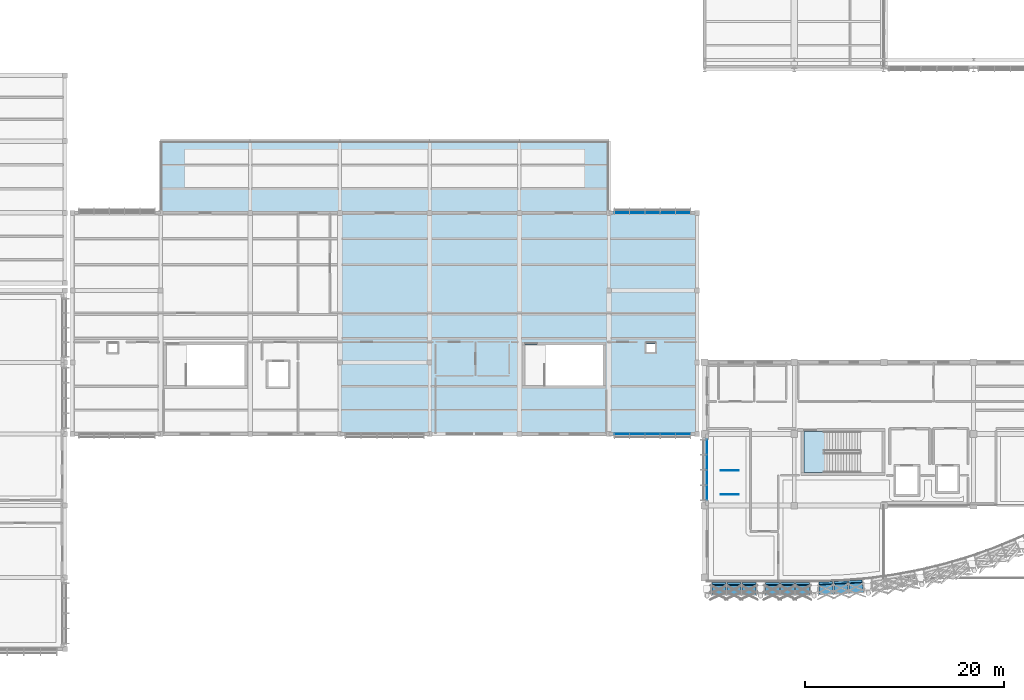
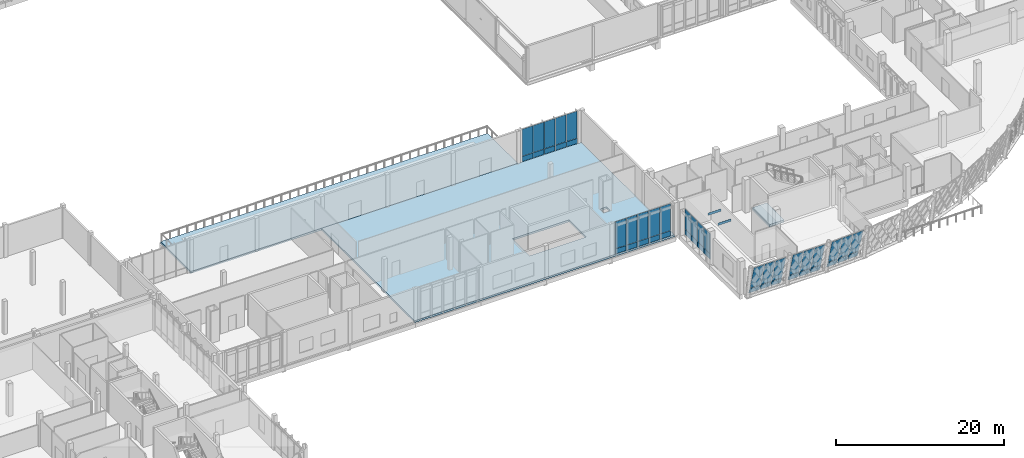
# One storey, part 135 of 177: 48 plates, 3 slabs, 6 elements without a shape of their own.
"""IFC4 building model written with IfcOpenShell, lengths in metres."""

from ifc_helpers import new_model, si_unit, direction, frame, origin, origin_2d, place, context, subcontext, project, spatial, polyline, rectangle, outline, extrude, material, layer, layer_set, type_object, element, aggregate, save


model = new_model("IFC4")

# Units and contexts
model_context = context("Model", 3, precision=1e-05, world=origin(), true_north=direction((0.0, 1.0)))
body_context = subcontext(model_context, "Body", "Model", "MODEL_VIEW")
ifc_project = project(units=[si_unit("LENGTHUNIT", "METRE"), si_unit("AREAUNIT", "SQUARE_METRE"), si_unit("VOLUMEUNIT", "CUBIC_METRE"), si_unit("PLANEANGLEUNIT", "RADIAN"), si_unit("MASSUNIT", "GRAM", prefix="KILO")], contexts=[model_context])

# Site, building, storey
site_placement = place(None, origin())
site = spatial("IfcSite", under=ifc_project, at=site_placement, CompositionType="ELEMENT")
building_placement = place(site_placement, origin())
building = spatial("IfcBuilding", under=site, at=building_placement, Name="Chiffa Square Polytechnic", CompositionType="ELEMENT")
storey_placement = place(building_placement, frame((0.0, 0.0, 4.800048828125)))
storey = spatial("IfcBuildingStorey", under=building, at=storey_placement, Name="L01", CompositionType="ELEMENT", Elevation=4.800048828125)

# Curtain wall, plates
ifc_material_1 = material(Name="Aluminium EN AW-6060 T66 and glulam shading", Category="wood")
curtain_wall_type_1 = type_object("IfcCurtainWallType", Name="CW-PROW-LEAN-150", PredefinedType="USERDEFINED", material=ifc_material_1)
curtain_wall_1_placement = place(storey_placement, origin())
curtain_wall_1 = element("IfcCurtainWall", 1, at=curtain_wall_1_placement, inside=storey, type_object=curtain_wall_type_1, Name="Outward-leaning diamond-fin prow curtain wall CW-V1-L01-012", ObjectType="CURTAIN WALL", PredefinedType="USERDEFINED")
ifc_material_2 = material(Name="Double glazing", Category="glass")
ifc_layer_1 = layer(ifc_material_2, 0.035888671875, Name="Double glazing")
ifc_layer_set_1 = layer_set([ifc_layer_1], Name="Double glazing")
plate_type_1 = type_object("IfcPlateType", Name="CWP-GLZ-120X145", PredefinedType="CURTAIN_PANEL", material=ifc_layer_set_1)
plate_1_placement = place(storey_placement, frame((123.6826171875, 6.4853515625, 0.8779296875), z_axis=(-0.050405458489, 0.960980066092, 0.271986401001), x_axis=(0.998627568263, 0.052373460327, 2.3637473e-05)))
plate_1 = element("IfcPlate", 2, at=plate_1_placement, type_object=plate_type_1, Name="Leaning prow curtain panel CW-V1-L01-012-PN01", PredefinedType="CURTAIN_PANEL", context=body_context, shape_type="SweptSolid", body=[
    extrude(outline(polyline([(0.0, 0.0), (1.3820176239372286, -3.469446951953614e-18), (1.3631176824569493, -3.6964487567364896), (-0.05142837269648539, -3.6965174500999045), (0.0, 0.0)])), origin(), (0.0, 0.0, -1.0), 0.035888671875),
])
plate_2_placement = place(storey_placement, frame((125.169921875, 6.563232421875, 0.8779296875), z_axis=(-0.050406814051, 0.96100590989, 0.271894822043), x_axis=(0.998627568027, 0.052373464819, 2.363015e-05)))
plate_2 = element("IfcPlate", 3, at=plate_2_placement, type_object=plate_type_1, Name="Leaning prow curtain panel CW-V1-L01-012-PN02", PredefinedType="CURTAIN_PANEL", context=body_context, shape_type="SweptSolid", body=[
    extrude(outline(polyline([(0.0, 0.0), (1.382017623936948, 0.0), (1.3980969251783544, -3.6963485016422117), (-0.016449129975929244, -3.696417171876284), (0.0, 0.0)])), origin(), (0.0, 0.0, -1.0), 0.035888671875),
])
plate_3_placement = place(storey_placement, frame((126.656982421875, 6.64111328125, 0.8779296875), z_axis=(-0.050403751901, 0.961031536243, 0.271804797862), x_axis=(0.99862782527, 0.052368559069, 2.4842729e-05)))
plate_3 = element("IfcPlate", 4, at=plate_3_placement, type_object=plate_type_1, Name="Leaning prow curtain panel CW-V1-L01-012-PN03", PredefinedType="CURTAIN_PANEL", context=body_context, shape_type="SweptSolid", body=[
    extrude(outline(polyline([(0.0, 0.0), (1.3822614300688714, 3.469446951953614e-18), (1.433329252679976, -3.6962481522145714), (0.018783198243864086, -3.6963203506431217), (0.0, 0.0)])), origin(), (0.0, 0.0, -1.0), 0.035888671875),
])

curtain_wall_type_2 = type_object("IfcCurtainWallType", Name="CW-VERT-450X380", PredefinedType="USERDEFINED", material=ifc_material_1)
curtain_wall_2_placement = place(storey_placement, origin())
curtain_wall_2 = element("IfcCurtainWall", 5, at=curtain_wall_2_placement, inside=storey, type_object=curtain_wall_type_2, Name="Curtain wall CW-V4-L01-186", ObjectType="CURTAIN WALL", PredefinedType="USERDEFINED")
ifc_layer_2 = layer(ifc_material_2, 0.0419921875, Name="Double glazing")
ifc_layer_set_2 = layer_set([ifc_layer_2], Name="Double glazing")
plate_type_2 = type_object("IfcPlateType", Name="CWP-GLZ-138X126", PredefinedType="CURTAIN_PANEL", material=ifc_layer_set_2)
plate_4_placement = place(storey_placement, frame((110.031982421875, 43.800048828125, 0.83984375), z_axis=(0.0, 0.0, 1.0), x_axis=(-1.0, 0.0, 0.0)))
plate_4 = element("IfcPlate", 6, at=plate_4_placement, type_object=plate_type_2, Name="Glazed curtain panel CW-V4-L01-186-PN01", PredefinedType="CURTAIN_PANEL", context=body_context, shape_type="SweptSolid", body=[
    extrude(rectangle(XDim=1.4599609375, YDim=0.0419921875, at=origin_2d()), origin(), (0.0, 0.0, 1.0), 3.909912109375),
])
plate_5_placement = place(storey_placement, frame((108.509033203125, 43.800048828125, 0.83984375), z_axis=(0.0, 0.0, 1.0), x_axis=(-1.0, 0.0, 0.0)))
plate_5 = element("IfcPlate", 7, at=plate_5_placement, type_object=plate_type_2, Name="Glazed curtain panel CW-V4-L01-186-PN02", PredefinedType="CURTAIN_PANEL", context=body_context, shape_type="SweptSolid", body=[
    extrude(rectangle(XDim=1.48193359375, YDim=0.0419921875, at=origin_2d()), origin(), (0.0, 0.0, 1.0), 3.909912109375),
])
plate_6_placement = place(storey_placement, frame((106.97509765625, 43.800048828125, 0.83984375), z_axis=(0.0, 0.0, 1.0), x_axis=(-1.0, 0.0, 0.0)))
plate_6 = element("IfcPlate", 8, at=plate_6_placement, type_object=plate_type_2, Name="Glazed curtain panel CW-V4-L01-186-PN03", PredefinedType="CURTAIN_PANEL", context=body_context, shape_type="SweptSolid", body=[
    extrude(rectangle(XDim=1.48193359375, YDim=0.0419921875, at=origin_2d()), origin(), (0.0, 0.0, 1.0), 3.909912109375),
])
plate_7_placement = place(storey_placement, frame((105.44091796875, 43.800048828125, 0.83984375), z_axis=(0.0, 0.0, 1.0), x_axis=(-1.0, 0.0, 0.0)))
plate_7 = element("IfcPlate", 9, at=plate_7_placement, type_object=plate_type_2, Name="Glazed curtain panel CW-V4-L01-186-PN04", PredefinedType="CURTAIN_PANEL", context=body_context, shape_type="SweptSolid", body=[
    extrude(rectangle(XDim=1.48193359375, YDim=0.0419921875, at=origin_2d()), origin(), (0.0, 0.0, 1.0), 3.909912109375),
])
plate_8_placement = place(storey_placement, frame((103.91796875, 43.800048828125, 0.83984375), z_axis=(0.0, 0.0, 1.0), x_axis=(-1.0, 0.0, 0.0)))
plate_8 = element("IfcPlate", 10, at=plate_8_placement, type_object=plate_type_2, Name="Glazed curtain panel CW-V4-L01-186-PN05", PredefinedType="CURTAIN_PANEL", context=body_context, shape_type="SweptSolid", body=[
    extrude(rectangle(XDim=1.4599609375, YDim=0.0419921875, at=origin_2d()), origin(), (0.0, 0.0, 1.0), 3.909912109375),
])

curtain_wall_type_3 = type_object("IfcCurtainWallType", Name="CW-VERT-600X440", PredefinedType="USERDEFINED", material=ifc_material_1)
curtain_wall_3_placement = place(storey_placement, origin())
curtain_wall_3 = element("IfcCurtainWall", 11, at=curtain_wall_3_placement, inside=storey, type_object=curtain_wall_type_3, Name="Curtain wall CW-V1-L01-129", ObjectType="CURTAIN WALL", PredefinedType="USERDEFINED")
ifc_layer_3 = layer(ifc_material_2, 0.0400390625, Name="Double glazing")
ifc_layer_set_3 = layer_set([ifc_layer_3], Name="Double glazing")
plate_type_3 = type_object("IfcPlateType", Name="CWP-GLZ-140X130", PredefinedType="CURTAIN_PANEL", material=ifc_layer_set_3)
plate_9_placement = place(storey_placement, frame((112.449951171875, 20.283935546875, 0.84033203125), z_axis=(0.0, 0.0, 1.0), x_axis=(0.0, -1.0, 0.0)))
plate_9 = element("IfcPlate", 12, at=plate_9_placement, type_object=plate_type_3, Name="Glazed curtain panel CW-V1-L01-129-PN01", PredefinedType="CURTAIN_PANEL", context=body_context, shape_type="SweptSolid", body=[
    extrude(rectangle(XDim=1.4560546875, YDim=0.0400390625, at=origin_2d()), origin(), (0.0, 0.0, 1.0), 2.925048828125),
])
plate_10_placement = place(storey_placement, frame((112.449951171875, 18.764892578125, 0.84033203125), z_axis=(0.0, 0.0, 1.0), x_axis=(0.0, -1.0, 0.0)))
plate_10 = element("IfcPlate", 13, at=plate_10_placement, type_object=plate_type_3, Name="Glazed curtain panel CW-V1-L01-129-PN02", PredefinedType="CURTAIN_PANEL", context=body_context, shape_type="SweptSolid", body=[
    extrude(rectangle(XDim=1.47802734375, YDim=0.0400390625, at=origin_2d()), origin(), (0.0, 0.0, 1.0), 2.925048828125),
])
plate_11_placement = place(storey_placement, frame((112.449951171875, 17.235107421875, 0.84033203125), z_axis=(0.0, 0.0, 1.0), x_axis=(0.0, -1.0, 0.0)))
plate_11 = element("IfcPlate", 14, at=plate_11_placement, type_object=plate_type_3, Name="Glazed curtain panel CW-V1-L01-129-PN03", PredefinedType="CURTAIN_PANEL", context=body_context, shape_type="SweptSolid", body=[
    extrude(rectangle(XDim=1.47802734375, YDim=0.0400390625, at=origin_2d()), origin(), (0.0, 0.0, 1.0), 2.925048828125),
])
plate_12_placement = place(storey_placement, frame((112.449951171875, 15.716064453125, 0.84033203125), z_axis=(0.0, 0.0, 1.0), x_axis=(0.0, -1.0, 0.0)))
plate_12 = element("IfcPlate", 15, at=plate_12_placement, type_object=plate_type_3, Name="Glazed curtain panel CW-V1-L01-129-PN04", PredefinedType="CURTAIN_PANEL", context=body_context, shape_type="SweptSolid", body=[
    extrude(rectangle(XDim=1.4560546875, YDim=0.0400390625, at=origin_2d()), origin(), (0.0, 0.0, 1.0), 2.925048828125),
])

curtain_wall_4_placement = place(storey_placement, origin())
curtain_wall_4 = element("IfcCurtainWall", 16, at=curtain_wall_4_placement, inside=storey, type_object=curtain_wall_type_3, Name="Curtain wall CW-V4-L01-185", ObjectType="CURTAIN WALL", PredefinedType="USERDEFINED")
plate_13_placement = place(storey_placement, frame((103.91796875, 21.60009765625, 0.83984375), z_axis=(0.0, 0.0, 1.0), x_axis=(1.0, 0.0, 0.0)))
plate_13 = element("IfcPlate", 17, at=plate_13_placement, type_object=plate_type_3, Name="Glazed curtain panel CW-V4-L01-185-PN01", PredefinedType="CURTAIN_PANEL", context=body_context, shape_type="SweptSolid", body=[
    extrude(rectangle(XDim=1.4599609375, YDim=0.0400390625, at=origin_2d()), origin(), (0.0, 0.0, 1.0), 3.909912109375),
])
plate_14_placement = place(storey_placement, frame((105.44091796875, 21.60009765625, 0.83984375), z_axis=(0.0, 0.0, 1.0), x_axis=(1.0, 0.0, 0.0)))
plate_14 = element("IfcPlate", 18, at=plate_14_placement, type_object=plate_type_3, Name="Glazed curtain panel CW-V4-L01-185-PN02", PredefinedType="CURTAIN_PANEL", context=body_context, shape_type="SweptSolid", body=[
    extrude(rectangle(XDim=1.48193359375, YDim=0.0400390625, at=origin_2d()), origin(), (0.0, 0.0, 1.0), 3.909912109375),
])
plate_15_placement = place(storey_placement, frame((106.97509765625, 21.60009765625, 0.83984375), z_axis=(0.0, 0.0, 1.0), x_axis=(1.0, 0.0, 0.0)))
plate_15 = element("IfcPlate", 19, at=plate_15_placement, type_object=plate_type_3, Name="Glazed curtain panel CW-V4-L01-185-PN03", PredefinedType="CURTAIN_PANEL", context=body_context, shape_type="SweptSolid", body=[
    extrude(rectangle(XDim=1.48193359375, YDim=0.0400390625, at=origin_2d()), origin(), (0.0, 0.0, 1.0), 3.909912109375),
])
plate_16_placement = place(storey_placement, frame((108.509033203125, 21.60009765625, 0.83984375), z_axis=(0.0, 0.0, 1.0), x_axis=(1.0, 0.0, 0.0)))
plate_16 = element("IfcPlate", 20, at=plate_16_placement, type_object=plate_type_3, Name="Glazed curtain panel CW-V4-L01-185-PN04", PredefinedType="CURTAIN_PANEL", context=body_context, shape_type="SweptSolid", body=[
    extrude(rectangle(XDim=1.48193359375, YDim=0.0400390625, at=origin_2d()), origin(), (0.0, 0.0, 1.0), 3.909912109375),
])
plate_17_placement = place(storey_placement, frame((110.031982421875, 21.60009765625, 0.83984375), z_axis=(0.0, 0.0, 1.0), x_axis=(1.0, 0.0, 0.0)))
plate_17 = element("IfcPlate", 21, at=plate_17_placement, type_object=plate_type_3, Name="Glazed curtain panel CW-V4-L01-185-PN05", PredefinedType="CURTAIN_PANEL", context=body_context, shape_type="SweptSolid", body=[
    extrude(rectangle(XDim=1.4599609375, YDim=0.0400390625, at=origin_2d()), origin(), (0.0, 0.0, 1.0), 3.909912109375),
])

curtain_wall_type_4 = type_object("IfcCurtainWallType", Name="CW-PROW-LEAN-300", PredefinedType="USERDEFINED", material=ifc_material_1)
curtain_wall_5_placement = place(storey_placement, origin())
curtain_wall_5 = element("IfcCurtainWall", 22, at=curtain_wall_5_placement, inside=storey, type_object=curtain_wall_type_4, Name="Outward-leaning diamond-fin prow curtain wall CW-V1-L01-011", ObjectType="CURTAIN WALL", PredefinedType="USERDEFINED")
ifc_layer_4 = layer(ifc_material_2, 0.035888671875, Name="Double glazing")
ifc_layer_set_4 = layer_set([ifc_layer_4], Name="Double glazing")
plate_type_4 = type_object("IfcPlateType", Name="CWP-GLZ-150X125", PredefinedType="CURTAIN_PANEL", material=ifc_layer_set_4)
plate_18_placement = place(storey_placement, frame((118.30908203125, 6.459716796875, 0.8779296875), z_axis=(0.0, 0.962250765528, 0.27216440664), x_axis=(1.0, 0.0, 0.0)))
plate_18 = element("IfcPlate", 23, at=plate_18_placement, type_object=plate_type_4, Name="Leaning prow curtain panel CW-V1-L01-011-PN01", PredefinedType="CURTAIN_PANEL", context=body_context, shape_type="SweptSolid", body=[
    extrude(outline(polyline([(0.0, 0.0), (1.396728515625, 0.0), (1.396728515625, -3.696675579467626), (0.0, -3.696675579467626), (0.0, 0.0)])), origin(), (0.0, 0.0, -1.0), 0.035888671875),
])
plate_19_placement = place(storey_placement, frame((119.814208984375, 6.459716796875, 0.8779296875), z_axis=(0.0, 0.962250765528, 0.27216440664), x_axis=(1.0, 0.0, 0.0)))
plate_19 = element("IfcPlate", 24, at=plate_19_placement, type_object=plate_type_4, Name="Leaning prow curtain panel CW-V1-L01-011-PN02", PredefinedType="CURTAIN_PANEL", context=body_context, shape_type="SweptSolid", body=[
    extrude(outline(polyline([(0.0, 0.0), (1.396484375, 0.0), (1.396484375, -3.696675579467626), (0.0, -3.696675579467626), (0.0, 0.0)])), origin(), (0.0, 0.0, -1.0), 0.035888671875),
])
plate_20_placement = place(storey_placement, frame((121.319091796875, 6.459716796875, 0.8779296875), z_axis=(0.0, 0.962250765528, 0.27216440664), x_axis=(1.0, 0.0, 0.0)))
plate_20 = element("IfcPlate", 25, at=plate_20_placement, type_object=plate_type_4, Name="Leaning prow curtain panel CW-V1-L01-011-PN03", PredefinedType="CURTAIN_PANEL", context=body_context, shape_type="SweptSolid", body=[
    extrude(outline(polyline([(0.0, 0.0), (1.396728515625, 0.0), (1.396728515625, -3.696675579467626), (0.0, -3.696675579467626), (0.0, 0.0)])), origin(), (0.0, 0.0, -1.0), 0.035888671875),
])

curtain_wall_6_placement = place(storey_placement, origin())
curtain_wall_6 = element("IfcCurtainWall", 26, at=curtain_wall_6_placement, inside=storey, type_object=curtain_wall_type_1, Name="Outward-leaning diamond-fin prow curtain wall CW-V1-L01-010", ObjectType="CURTAIN WALL", PredefinedType="USERDEFINED")
ifc_layer_5 = layer(ifc_material_2, 0.035888671875, Name="Double glazing")
ifc_layer_set_5 = layer_set([ifc_layer_5], Name="Double glazing")
plate_type_5 = type_object("IfcPlateType", Name="CWP-GLZ-150X145", PredefinedType="CURTAIN_PANEL", material=ifc_layer_set_5)
plate_21_placement = place(storey_placement, frame((112.93408203125, 6.459716796875, 0.8779296875), z_axis=(0.0, 0.962250765528, 0.27216440664), x_axis=(1.0, 0.0, 0.0)))
plate_21 = element("IfcPlate", 27, at=plate_21_placement, type_object=plate_type_5, Name="Leaning prow curtain panel CW-V1-L01-010-PN01", PredefinedType="CURTAIN_PANEL", context=body_context, shape_type="SweptSolid", body=[
    extrude(outline(polyline([(0.0, 0.0), (1.396728515625, 0.0), (1.396728515625, -3.696675579467626), (0.0, -3.696675579467626), (0.0, 0.0)])), origin(), (0.0, 0.0, -1.0), 0.035888671875),
])
plate_22_placement = place(storey_placement, frame((114.439208984375, 6.459716796875, 0.8779296875), z_axis=(0.0, 0.962250765528, 0.27216440664), x_axis=(1.0, 0.0, 0.0)))
plate_22 = element("IfcPlate", 28, at=plate_22_placement, type_object=plate_type_5, Name="Leaning prow curtain panel CW-V1-L01-010-PN02", PredefinedType="CURTAIN_PANEL", context=body_context, shape_type="SweptSolid", body=[
    extrude(outline(polyline([(0.0, 0.0), (1.396484375, 0.0), (1.396484375, -3.696675579467626), (0.0, -3.696675579467626), (0.0, 0.0)])), origin(), (0.0, 0.0, -1.0), 0.035888671875),
])
plate_23_placement = place(storey_placement, frame((115.944091796875, 6.459716796875, 0.8779296875), z_axis=(0.0, 0.962250765528, 0.27216440664), x_axis=(1.0, 0.0, 0.0)))
plate_23 = element("IfcPlate", 29, at=plate_23_placement, type_object=plate_type_5, Name="Leaning prow curtain panel CW-V1-L01-010-PN03", PredefinedType="CURTAIN_PANEL", context=body_context, shape_type="SweptSolid", body=[
    extrude(outline(polyline([(0.0, 0.0), (1.396728515625, 0.0), (1.396728515625, -3.696675579467626), (0.0, -3.696675579467626), (0.0, 0.0)])), origin(), (0.0, 0.0, -1.0), 0.035888671875),
])

# Plate
ifc_material_3 = material(Name="Aluminium insulated spandrel", Category="aluminium")
ifc_layer_6 = layer(ifc_material_3, 0.070068359375, Name="Aluminium insulated spandrel")
ifc_layer_set_6 = layer_set([ifc_layer_6], Name="Aluminium insulated spandrel")
plate_type_6 = type_object("IfcPlateType", Name="CWP-SPN-138X074", PredefinedType="SHEET", material=ifc_layer_set_6)
plate_24_placement = place(storey_placement, frame((123.68212890625, 6.719482421875, 0.050048828125), z_axis=(-0.050378601593, 0.961029364401, 0.271817139379), x_axis=(0.998628657987, 0.052352682161, -1.0851272e-05)))
plate_24 = element("IfcPlate", 30, at=plate_24_placement, type_object=plate_type_6, Name="Leaning prow curtain panel CW-V1-L01-012-SP01", PredefinedType="SHEET", context=body_context, shape_type="SweptSolid", body=[
    extrude(outline(polyline([(0.0, 0.0), (1.3746906701899575, 0.0), (1.3705826630724558, -0.8021908824059587), (-0.010947351625752414, -0.8021598037602016), (0.0, 0.0)])), origin(), (0.0, 0.0, -1.0), 0.070068359375),
])

plate_25_placement = place(storey_placement, frame((125.161376953125, 6.797119140625, 0.050048828125), z_axis=(-0.050201654931, 0.960990932669, 0.271985700304), x_axis=(0.99863812907, 0.052171707123, -1.1951845e-05)))
plate_25 = element("IfcPlate", 31, at=plate_25_placement, type_object=plate_type_6, Name="Leaning prow curtain panel CW-V1-L01-012-SP02", PredefinedType="SHEET", context=body_context, shape_type="SweptSolid", body=[
    extrude(outline(polyline([(0.0, 0.0), (1.3746779007950314, 3.469446951953614e-18), (1.3781793586529787, -0.8022322463634062), (-0.003581715347658533, -0.8021980112114097), (0.0, 0.0)])), origin(), (0.0, 0.0, -1.0), 0.070068359375),
])

plate_26_placement = place(storey_placement, frame((126.640625, 6.87451171875, 0.050048828125), z_axis=(-0.050295042544, 0.960976295924, 0.272020159856), x_axis=(0.998633368661, 0.052262748415, 1.1195406e-05)))
plate_26 = element("IfcPlate", 32, at=plate_26_placement, type_object=plate_type_6, Name="Leaning prow curtain panel CW-V1-L01-012-SP03", PredefinedType="SHEET", context=body_context, shape_type="SweptSolid", body=[
    extrude(outline(polyline([(0.0, 0.0), (1.3744340934191661, 3.469446951953614e-18), (1.3855170581899992, -0.8022071300666158), (0.003987043582358321, -0.8022391932566086), (0.0, 0.0)])), origin(), (0.0, 0.0, -1.0), 0.070068359375),
])

aggregate(curtain_wall_1, [plate_24, plate_1, plate_25, plate_2, plate_26, plate_3])

ifc_layer_7 = layer(ifc_material_3, 0.068115234375, Name="Aluminium insulated spandrel")
ifc_layer_set_7 = layer_set([ifc_layer_7], Name="Aluminium insulated spandrel")
plate_type_7 = type_object("IfcPlateType", Name="CWP-SPN-140X076", PredefinedType="SHEET", material=ifc_layer_set_7)
plate_27_placement = place(storey_placement, frame((118.30908203125, 6.69384765625, 0.050048828125), z_axis=(0.0, 0.962278231694, 0.272067279929), x_axis=(1.0, 0.0, 0.0)))
plate_27 = element("IfcPlate", 33, at=plate_27_placement, type_object=plate_type_7, Name="Leaning prow curtain panel CW-V1-L01-011-SP01", PredefinedType="SHEET", context=body_context, shape_type="SweptSolid", body=[
    extrude(outline(polyline([(0.0, 0.0), (1.396728515625, 0.0), (1.396728515625, -0.8022343547052724), (0.0, -0.8022343547052724), (0.0, 0.0)])), origin(), (0.0, 0.0, -1.0), 0.068115234375),
])

plate_28_placement = place(storey_placement, frame((119.814208984375, 6.69384765625, 0.050048828125), z_axis=(0.0, 0.962278231694, 0.272067279929), x_axis=(1.0, 0.0, 0.0)))
plate_28 = element("IfcPlate", 34, at=plate_28_placement, type_object=plate_type_7, Name="Leaning prow curtain panel CW-V1-L01-011-SP02", PredefinedType="SHEET", context=body_context, shape_type="SweptSolid", body=[
    extrude(outline(polyline([(0.0, 0.0), (1.396484375, 0.0), (1.396484375, -0.8022343547052725), (0.0, -0.8022343547052725), (0.0, 0.0)])), origin(), (0.0, 0.0, -1.0), 0.068115234375),
])

plate_29_placement = place(storey_placement, frame((121.319091796875, 6.69384765625, 0.050048828125), z_axis=(0.0, 0.962278231694, 0.272067279929), x_axis=(1.0, 0.0, 0.0)))
plate_29 = element("IfcPlate", 35, at=plate_29_placement, type_object=plate_type_7, Name="Leaning prow curtain panel CW-V1-L01-011-SP03", PredefinedType="SHEET", context=body_context, shape_type="SweptSolid", body=[
    extrude(outline(polyline([(0.0, 0.0), (1.396728515625, 0.0), (1.396728515625, -0.8022343547052724), (0.0, -0.8022343547052724), (0.0, 0.0)])), origin(), (0.0, 0.0, -1.0), 0.068115234375),
])

aggregate(curtain_wall_5, [plate_27, plate_18, plate_28, plate_19, plate_29, plate_20])

ifc_layer_8 = layer(ifc_material_3, 0.06591796875, Name="Aluminium insulated spandrel")
ifc_layer_set_8 = layer_set([ifc_layer_8], Name="Aluminium insulated spandrel")
plate_type_8 = type_object("IfcPlateType", Name="CWP-SPN-144X078", PredefinedType="SHEET", material=ifc_layer_set_8)
plate_30_placement = place(storey_placement, frame((112.93408203125, 6.69384765625, 0.050048828125), z_axis=(0.0, 0.962278231694, 0.272067279929), x_axis=(1.0, 0.0, 0.0)))
plate_30 = element("IfcPlate", 36, at=plate_30_placement, type_object=plate_type_8, Name="Leaning prow curtain panel CW-V1-L01-010-SP01", PredefinedType="SHEET", context=body_context, shape_type="SweptSolid", body=[
    extrude(outline(polyline([(0.0, 0.0), (1.396728515625, 0.0), (1.396728515625, -0.8022343547052724), (0.0, -0.8022343547052724), (0.0, 0.0)])), origin(), (0.0, 0.0, -1.0), 0.06591796875),
])

plate_31_placement = place(storey_placement, frame((114.439208984375, 6.69384765625, 0.050048828125), z_axis=(0.0, 0.962278231694, 0.272067279929), x_axis=(1.0, 0.0, 0.0)))
plate_31 = element("IfcPlate", 37, at=plate_31_placement, type_object=plate_type_8, Name="Leaning prow curtain panel CW-V1-L01-010-SP02", PredefinedType="SHEET", context=body_context, shape_type="SweptSolid", body=[
    extrude(outline(polyline([(0.0, 0.0), (1.396484375, 0.0), (1.396484375, -0.8022343547052725), (0.0, -0.8022343547052725), (0.0, 0.0)])), origin(), (0.0, 0.0, -1.0), 0.06591796875),
])

plate_32_placement = place(storey_placement, frame((115.944091796875, 6.69384765625, 0.050048828125), z_axis=(0.0, 0.962278231694, 0.272067279929), x_axis=(1.0, 0.0, 0.0)))
plate_32 = element("IfcPlate", 38, at=plate_32_placement, type_object=plate_type_8, Name="Leaning prow curtain panel CW-V1-L01-010-SP03", PredefinedType="SHEET", context=body_context, shape_type="SweptSolid", body=[
    extrude(outline(polyline([(0.0, 0.0), (1.396728515625, 0.0), (1.396728515625, -0.8022343547052724), (0.0, -0.8022343547052724), (0.0, 0.0)])), origin(), (0.0, 0.0, -1.0), 0.06591796875),
])

aggregate(curtain_wall_6, [plate_30, plate_21, plate_31, plate_22, plate_32, plate_23])

plate_33_placement = place(storey_placement, frame((110.031982421875, 43.800048828125, 0.050048828125), z_axis=(0.0, 0.0, 1.0), x_axis=(-1.0, 0.0, 0.0)))
plate_33 = element("IfcPlate", 39, at=plate_33_placement, type_object=plate_type_8, Name="Spandrel panel CW-V4-L01-186-SP01", PredefinedType="SHEET", context=body_context, shape_type="SweptSolid", body=[
    extrude(rectangle(XDim=1.4599609375, YDim=0.06591796875, at=origin_2d()), origin(), (0.0, 0.0, 1.0), 0.75),
])

plate_34_placement = place(storey_placement, frame((108.509033203125, 43.800048828125, 0.050048828125), z_axis=(0.0, 0.0, 1.0), x_axis=(-1.0, 0.0, 0.0)))
plate_34 = element("IfcPlate", 40, at=plate_34_placement, type_object=plate_type_8, Name="Spandrel panel CW-V4-L01-186-SP02", PredefinedType="SHEET", context=body_context, shape_type="SweptSolid", body=[
    extrude(rectangle(XDim=1.48193359375, YDim=0.06591796875, at=origin_2d()), origin(), (0.0, 0.0, 1.0), 0.75),
])

plate_35_placement = place(storey_placement, frame((106.97509765625, 43.800048828125, 0.050048828125), z_axis=(0.0, 0.0, 1.0), x_axis=(-1.0, 0.0, 0.0)))
plate_35 = element("IfcPlate", 41, at=plate_35_placement, type_object=plate_type_8, Name="Spandrel panel CW-V4-L01-186-SP03", PredefinedType="SHEET", context=body_context, shape_type="SweptSolid", body=[
    extrude(rectangle(XDim=1.48193359375, YDim=0.06591796875, at=origin_2d()), origin(), (0.0, 0.0, 1.0), 0.75),
])

plate_36_placement = place(storey_placement, frame((105.44091796875, 43.800048828125, 0.050048828125), z_axis=(0.0, 0.0, 1.0), x_axis=(-1.0, 0.0, 0.0)))
plate_36 = element("IfcPlate", 42, at=plate_36_placement, type_object=plate_type_8, Name="Spandrel panel CW-V4-L01-186-SP04", PredefinedType="SHEET", context=body_context, shape_type="SweptSolid", body=[
    extrude(rectangle(XDim=1.48193359375, YDim=0.06591796875, at=origin_2d()), origin(), (0.0, 0.0, 1.0), 0.75),
])

plate_37_placement = place(storey_placement, frame((103.91796875, 43.800048828125, 0.050048828125), z_axis=(0.0, 0.0, 1.0), x_axis=(-1.0, 0.0, 0.0)))
plate_37 = element("IfcPlate", 43, at=plate_37_placement, type_object=plate_type_8, Name="Spandrel panel CW-V4-L01-186-SP05", PredefinedType="SHEET", context=body_context, shape_type="SweptSolid", body=[
    extrude(rectangle(XDim=1.4599609375, YDim=0.06591796875, at=origin_2d()), origin(), (0.0, 0.0, 1.0), 0.75),
])

aggregate(curtain_wall_2, [plate_33, plate_4, plate_34, plate_5, plate_35, plate_6, plate_36, plate_7, plate_37, plate_8])

ifc_layer_9 = layer(ifc_material_3, 0.06396484375, Name="Aluminium insulated spandrel")
ifc_layer_set_9 = layer_set([ifc_layer_9], Name="Aluminium insulated spandrel")
plate_type_9 = type_object("IfcPlateType", Name="CWP-SPN-146X082", PredefinedType="SHEET", material=ifc_layer_set_9)
plate_38_placement = place(storey_placement, frame((112.449951171875, 20.283935546875, 0.050048828125), z_axis=(0.0, 0.0, 1.0), x_axis=(0.0, -1.0, 0.0)))
plate_38 = element("IfcPlate", 44, at=plate_38_placement, type_object=plate_type_9, Name="Spandrel panel CW-V1-L01-129-SP01", PredefinedType="SHEET", context=body_context, shape_type="SweptSolid", body=[
    extrude(rectangle(XDim=1.4560546875, YDim=0.06396484375, at=origin_2d()), origin(), (0.0, 0.0, 1.0), 0.75),
])

plate_39_placement = place(storey_placement, frame((112.449951171875, 18.764892578125, 0.050048828125), z_axis=(0.0, 0.0, 1.0), x_axis=(0.0, -1.0, 0.0)))
plate_39 = element("IfcPlate", 45, at=plate_39_placement, type_object=plate_type_9, Name="Spandrel panel CW-V1-L01-129-SP02", PredefinedType="SHEET", context=body_context, shape_type="SweptSolid", body=[
    extrude(rectangle(XDim=1.47802734375, YDim=0.06396484375, at=origin_2d()), origin(), (0.0, 0.0, 1.0), 0.75),
])

plate_40_placement = place(storey_placement, frame((112.449951171875, 17.235107421875, 0.050048828125), z_axis=(0.0, 0.0, 1.0), x_axis=(0.0, -1.0, 0.0)))
plate_40 = element("IfcPlate", 46, at=plate_40_placement, type_object=plate_type_9, Name="Spandrel panel CW-V1-L01-129-SP03", PredefinedType="SHEET", context=body_context, shape_type="SweptSolid", body=[
    extrude(rectangle(XDim=1.47802734375, YDim=0.06396484375, at=origin_2d()), origin(), (0.0, 0.0, 1.0), 0.75),
])

plate_41_placement = place(storey_placement, frame((112.449951171875, 15.716064453125, 0.050048828125), z_axis=(0.0, 0.0, 1.0), x_axis=(0.0, -1.0, 0.0)))
plate_41 = element("IfcPlate", 47, at=plate_41_placement, type_object=plate_type_9, Name="Spandrel panel CW-V1-L01-129-SP04", PredefinedType="SHEET", context=body_context, shape_type="SweptSolid", body=[
    extrude(rectangle(XDim=1.4560546875, YDim=0.06396484375, at=origin_2d()), origin(), (0.0, 0.0, 1.0), 0.75),
])

aggregate(curtain_wall_3, [plate_38, plate_9, plate_39, plate_10, plate_40, plate_11, plate_41, plate_12])

plate_42_placement = place(storey_placement, frame((103.91796875, 21.60009765625, 0.050048828125), z_axis=(0.0, 0.0, 1.0), x_axis=(1.0, 0.0, 0.0)))
plate_42 = element("IfcPlate", 48, at=plate_42_placement, type_object=plate_type_9, Name="Spandrel panel CW-V4-L01-185-SP01", PredefinedType="SHEET", context=body_context, shape_type="SweptSolid", body=[
    extrude(rectangle(XDim=1.4599609375, YDim=0.06396484375, at=origin_2d()), origin(), (0.0, 0.0, 1.0), 0.75),
])

plate_43_placement = place(storey_placement, frame((105.44091796875, 21.60009765625, 0.050048828125), z_axis=(0.0, 0.0, 1.0), x_axis=(1.0, 0.0, 0.0)))
plate_43 = element("IfcPlate", 49, at=plate_43_placement, type_object=plate_type_9, Name="Spandrel panel CW-V4-L01-185-SP02", PredefinedType="SHEET", context=body_context, shape_type="SweptSolid", body=[
    extrude(rectangle(XDim=1.48193359375, YDim=0.06396484375, at=origin_2d()), origin(), (0.0, 0.0, 1.0), 0.75),
])

plate_44_placement = place(storey_placement, frame((106.97509765625, 21.60009765625, 0.050048828125), z_axis=(0.0, 0.0, 1.0), x_axis=(1.0, 0.0, 0.0)))
plate_44 = element("IfcPlate", 50, at=plate_44_placement, type_object=plate_type_9, Name="Spandrel panel CW-V4-L01-185-SP03", PredefinedType="SHEET", context=body_context, shape_type="SweptSolid", body=[
    extrude(rectangle(XDim=1.48193359375, YDim=0.06396484375, at=origin_2d()), origin(), (0.0, 0.0, 1.0), 0.75),
])

plate_45_placement = place(storey_placement, frame((108.509033203125, 21.60009765625, 0.050048828125), z_axis=(0.0, 0.0, 1.0), x_axis=(1.0, 0.0, 0.0)))
plate_45 = element("IfcPlate", 51, at=plate_45_placement, type_object=plate_type_9, Name="Spandrel panel CW-V4-L01-185-SP04", PredefinedType="SHEET", context=body_context, shape_type="SweptSolid", body=[
    extrude(rectangle(XDim=1.48193359375, YDim=0.06396484375, at=origin_2d()), origin(), (0.0, 0.0, 1.0), 0.75),
])

plate_46_placement = place(storey_placement, frame((110.031982421875, 21.60009765625, 0.050048828125), z_axis=(0.0, 0.0, 1.0), x_axis=(1.0, 0.0, 0.0)))
plate_46 = element("IfcPlate", 52, at=plate_46_placement, type_object=plate_type_9, Name="Spandrel panel CW-V4-L01-185-SP05", PredefinedType="SHEET", context=body_context, shape_type="SweptSolid", body=[
    extrude(rectangle(XDim=1.4599609375, YDim=0.06396484375, at=origin_2d()), origin(), (0.0, 0.0, 1.0), 0.75),
])

aggregate(curtain_wall_4, [plate_42, plate_13, plate_43, plate_14, plate_44, plate_15, plate_45, plate_16, plate_46, plate_17])

# Plates
ifc_material_4 = material(Name="Glulam GL28h", Category="wood")
ifc_layer_10 = layer(ifc_material_4, 0.320068359375, Name="Glulam GL28h")
ifc_layer_set_10 = layer_set([ifc_layer_10], Name="Glulam GL28h")
plate_type_10 = type_object("IfcPlateType", Name="PLT-BAFFLE-1800", PredefinedType="USERDEFINED", material=ifc_layer_set_10)
for number, where, z_axis, x_axis, name in (
    (53, (114.735107421875, 15.550048828125, 4.162109375), (0.0, 0.0, 1.0), (1.0, 0.0, 0.0), "Acoustic timber ceiling baffle AB-V1-L01-007"),
    (54, (114.735107421875, 17.949951171875, 4.162109375), (0.0, 0.0, 1.0), (1.0, 0.0, 0.0), "Acoustic timber ceiling baffle AB-V1-L01-008"),
):
    element("IfcPlate", number, at=place(storey_placement, frame(where, z_axis=z_axis, x_axis=x_axis)), inside=storey, type_object=plate_type_10, Name=name, ObjectType="ACOUSTIC BAFFLE", PredefinedType="USERDEFINED", context=body_context, shape_type="SweptSolid", body=[
        extrude(rectangle(XDim=1.800048828125, YDim=0.050048828125, at=origin_2d()), origin(), (0.0, 0.0, 1.0), 0.320068359375),
    ])

# Slabs
ifc_material_5 = material(Name="Concrete C35/45", Category="concrete")
ifc_layer_11 = layer(ifc_material_5, 0.280029296875, Name="Concrete C35/45")
ifc_layer_set_11 = layer_set([ifc_layer_11], Name="Concrete C35/45")
slab_type_1 = type_object("IfcSlabType", Name="SLB-FLR-280", PredefinedType="FLOOR", material=ifc_layer_set_11)
slab_1_placement = place(storey_placement, frame((0.0, 0.0, -0.280029296875)))
element("IfcSlab", 55, at=slab_1_placement, inside=storey, type_object=slab_type_1, Name="V4 L01 structural slab SLB-V4-L01-017", PredefinedType="FLOOR", context=body_context, shape_type="SweptSolid", body=[
    extrude(outline(polyline([(111.35009765625, 43.800048828125), (111.35009765625, 21.60009765625), (75.60009765625, 21.60009765625), (75.60009765625, 43.800048828125), (111.35009765625, 43.800048828125)]), holes=[polyline([(94.199951171875, 30.550048828125), (102.0, 30.550048828125), (102.0, 26.449951171875), (94.199951171875, 26.449951171875), (94.199951171875, 30.550048828125)]), polyline([(106.35009765625, 30.64990234375), (107.25, 30.64990234375), (107.25, 29.800048828125), (106.35009765625, 29.800048828125), (106.35009765625, 30.64990234375)])]), origin(), (0.0, 0.0, 1.0), 0.280029296875),
])
ifc_material_6 = material(Name="Concrete C40/50", Category="concrete")
ifc_layer_12 = layer(ifc_material_6, 0.35009765625, Name="Concrete C40/50")
ifc_layer_set_12 = layer_set([ifc_layer_12], Name="Concrete C40/50")
slab_type_2 = type_object("IfcSlabType", Name="SLB-FLR-350", PredefinedType="FLOOR", material=ifc_layer_set_12)
slab_2_placement = place(storey_placement, frame((0.0, 0.0, -0.35009765625)))
element("IfcSlab", 56, at=slab_2_placement, inside=storey, type_object=slab_type_2, Name="Stair core floor landing slab SLB-CORE-CORE-V1A-L01", PredefinedType="FLOOR", context=body_context, shape_type="SweptSolid", body=[
    extrude(outline(polyline([(122.199951171875, 17.75), (124.2119140625, 17.75), (124.2119140625, 21.85009765625), (122.199951171875, 21.85009765625), (122.199951171875, 17.75)])), origin(), (0.0, 0.0, 1.0), 0.35009765625),
])
ifc_layer_13 = layer(ifc_material_6, 0.280029296875, Name="Concrete C40/50")
ifc_layer_set_13 = layer_set([ifc_layer_13], Name="Concrete C40/50")
slab_type_3 = type_object("IfcSlabType", Name="SLB-TERR-280", PredefinedType="FLOOR", material=ifc_layer_set_13)
slab_3_placement = place(storey_placement, frame((0.0, 0.0, -0.280029296875)))
element("IfcSlab", 57, at=slab_3_placement, inside=storey, type_object=slab_type_3, Name="Courtyard dining terrace slab SLB-V4-TERR-L01", PredefinedType="FLOOR", context=body_context, shape_type="SweptSolid", body=[
    extrude(outline(polyline([(57.60009765625, 43.800048828125), (102.60009765625, 43.800048828125), (102.60009765625, 51.0), (57.60009765625, 51.0), (57.60009765625, 43.800048828125)])), origin(), (0.0, 0.0, 1.0), 0.280029296875),
])

save(model, "model.ifc")
